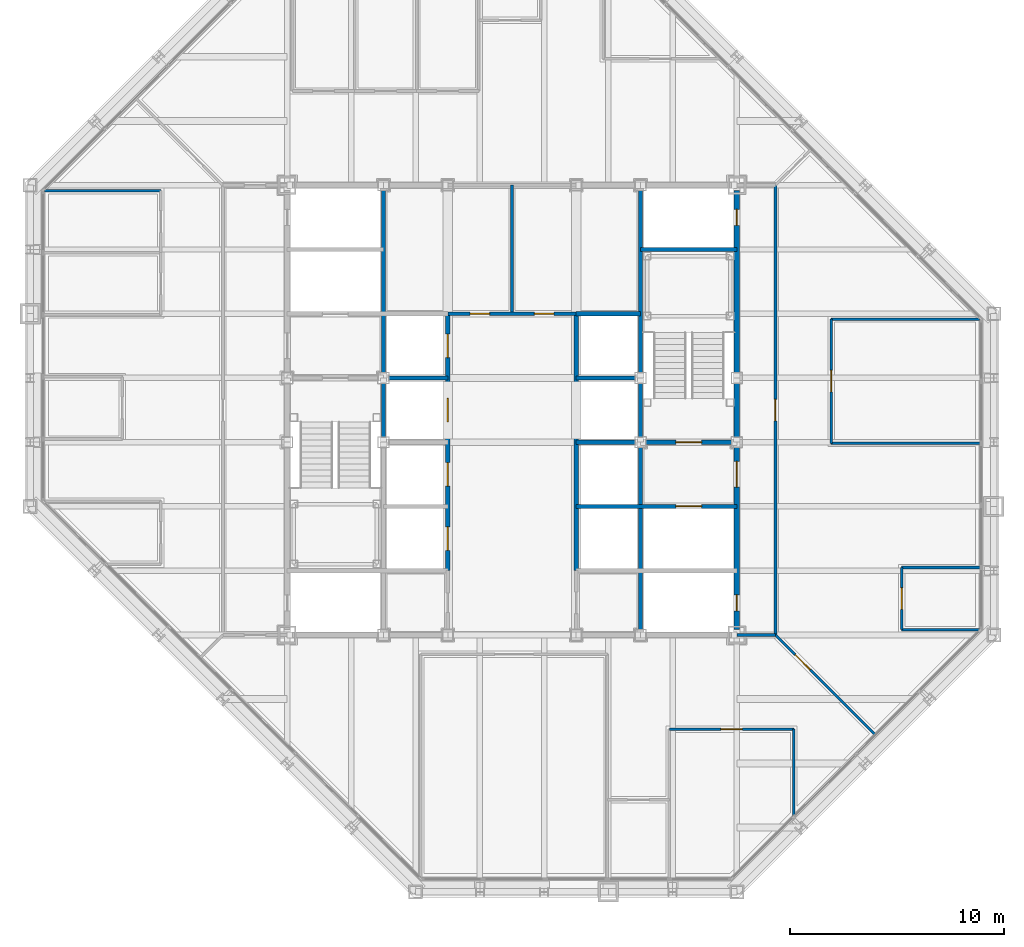
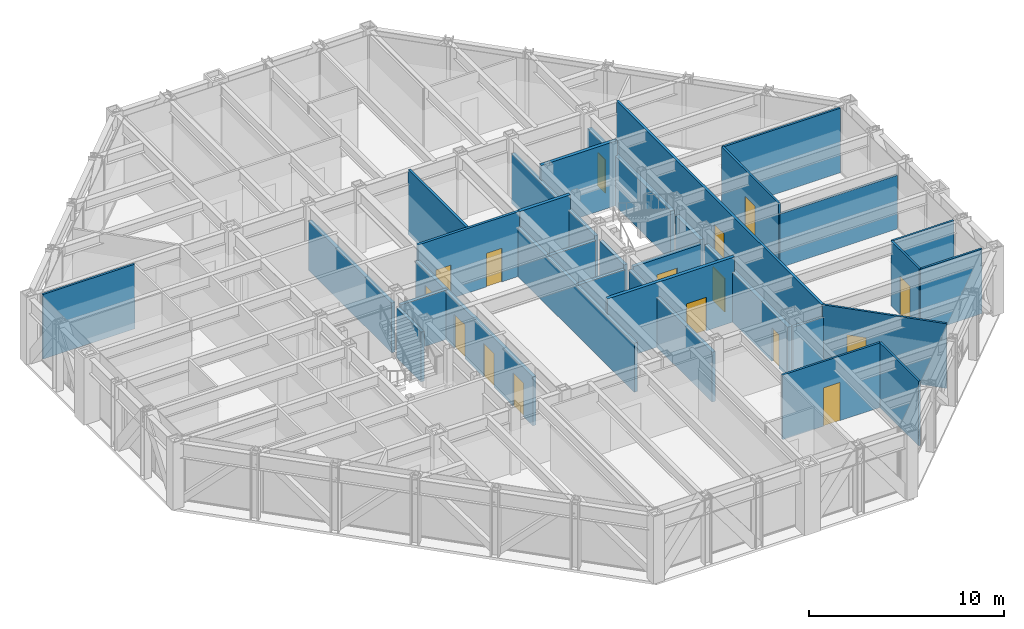
# One storey, part 12 of 16: 31 walls, 16 doors, 16 openings.
"""IFC4 building model written with IfcOpenShell, lengths in metres."""

from ifc_helpers import new_model, si_unit, direction, frame, frame_2d, origin, place, context, subcontext, project, spatial, rectangle, extrude, material, layer, layer_set, type_object, element, fill, save


model = new_model("IFC4")

# Units and contexts
model_context = context("Model", 3, precision=1e-05, world=origin(), true_north=direction((0.0, 1.0)))
body_context = subcontext(model_context, "Body", "Model", "MODEL_VIEW")
ifc_project = project(units=[si_unit("LENGTHUNIT", "METRE"), si_unit("AREAUNIT", "SQUARE_METRE"), si_unit("VOLUMEUNIT", "CUBIC_METRE"), si_unit("PLANEANGLEUNIT", "RADIAN"), si_unit("MASSUNIT", "GRAM", prefix="KILO")], contexts=[model_context])

# Site, building, storey
site_placement = place(None, origin())
site = spatial("IfcSite", under=ifc_project, at=site_placement, CompositionType="ELEMENT")
building_placement = place(site_placement, origin())
building = spatial("IfcBuilding", under=site, at=building_placement, Name="Chuquiago Exchange Tower", CompositionType="ELEMENT")
storey_placement = place(building_placement, frame((0.0, 0.0, 234.89990234375)))
storey = spatial("IfcBuildingStorey", under=building, at=storey_placement, Name="L52", CompositionType="ELEMENT", Elevation=234.89990234375)

# Wall, openings, doors
ifc_material_1 = material(Name="Concrete masonry, fully grouted", Category="masonry")
ifc_layer_1 = layer(ifc_material_1, 0.25)
ifc_layer_set_1 = layer_set([ifc_layer_1], Name="W1 core wall 250")
wall_type_1 = type_object("IfcWallType", Name="W1 core wall 250", PredefinedType="SOLIDWALL", material=ifc_layer_set_1)
wall_1_placement = place(storey_placement, frame((33.0, 12.25, 0.0), z_axis=(0.0, 0.0, 1.0), x_axis=(0.0, 1.0, 0.0)))
wall_1 = element("IfcWall", 1, at=wall_1_placement, inside=storey, type_object=wall_type_1, Name="CW-L52-25-0", PredefinedType="SOLIDWALL", context=body_context, shape_type="SweptSolid", body=[
    extrude(rectangle(XDim=8.5, YDim=0.25, at=frame_2d((4.25, 0.0))), origin(), (0.0, 0.0, 1.0), 3.113037109375),
])
opening_1_placement = place(wall_1_placement, frame((6.64990234375, 0.0, 0.0)))
opening_1 = element("IfcOpeningElement", 2, at=opening_1_placement, cuts=wall_1, Name="Opening L52-004", PredefinedType="OPENING", context=body_context, shape_type="SweptSolid", body=[
    extrude(rectangle(XDim=1.199951171875, YDim=2.10009765625, at=frame_2d((0.60009765625, 1.050048828125))), frame((0.0, 0.135009765625, 0.0), z_axis=(0.0, -1.0, 0.0), x_axis=(1.0, 0.0, 0.0)), (0.0, 0.0, 1.0), 0.27001953125),
])
opening_2_placement = place(wall_1_placement, frame((0.875, 0.0, 0.0)))
opening_2 = element("IfcOpeningElement", 3, at=opening_2_placement, cuts=wall_1, Name="Opening L52-009", PredefinedType="OPENING", context=body_context, shape_type="SweptSolid", body=[
    extrude(rectangle(XDim=0.75, YDim=2.10009765625, at=frame_2d((0.375, 1.050048828125))), frame((0.0, 0.135009765625, 0.0), z_axis=(0.0, -1.0, 0.0), x_axis=(1.0, 0.0, 0.0)), (0.0, 0.0, 1.0), 0.27001953125),
])
ifc_material_2 = material(Name="Steel door, painted", Category="steel")
door_type_1 = type_object("IfcDoorType", Name="D5 firefighting lobby door 1200x2100", OperationType="SINGLE_SWING_LEFT", PredefinedType="DOOR", material=ifc_material_2)
door_1_placement = place(opening_1_placement, origin())
door_1 = element("IfcDoor", 4, at=door_1_placement, inside=storey, type_object=door_type_1, Name="Firefighting lobby 2 door", OperationType="SINGLE_SWING_RIGHT", OverallHeight=2.10009765625, OverallWidth=1.199951171875, PredefinedType="DOOR", context=body_context, shape_type="SweptSolid", body=[
    extrude(rectangle(XDim=1.199951171875, YDim=2.10009765625, at=frame_2d((0.60009765625, 1.050048828125))), frame((0.0, 0.02490234375, 0.0), z_axis=(0.0, -1.0, 0.0), x_axis=(1.0, 0.0, 0.0)), (0.0, 0.0, 1.0), 0.050048828125),
])
fill(opening_1, door_1)
ifc_material_3 = material(Name="Steel door, painted", Category="steel")
door_type_2 = type_object("IfcDoorType", Name="D6 riser access door 750x2100", OperationType="SINGLE_SWING_LEFT", PredefinedType="DOOR", material=ifc_material_3)
door_2_placement = place(opening_2_placement, frame((0.75, 0.0, 0.0), z_axis=(0.0, 0.0, 1.0), x_axis=(-1.0, 0.0, 0.0)))
door_2 = element("IfcDoor", 5, at=door_2_placement, inside=storey, type_object=door_type_2, Name="Riser RE1 door", OperationType="SINGLE_SWING_RIGHT", OverallHeight=2.10009765625, OverallWidth=0.75, PredefinedType="DOOR", context=body_context, shape_type="SweptSolid", body=[
    extrude(rectangle(XDim=0.75, YDim=2.10009765625, at=frame_2d((0.375, 1.050048828125))), frame((0.0, 0.02490234375, 0.0), z_axis=(0.0, -1.0, 0.0), x_axis=(1.0, 0.0, 0.0)), (0.0, 0.0, 1.0), 0.050048828125),
])
fill(opening_2, door_2)

# Wall
wall_2_placement = place(storey_placement, frame((33.0, 21.25, 0.0), z_axis=(0.0, 0.0, 1.0), x_axis=(0.0, 1.0, 0.0)))
element("IfcWall", 6, at=wall_2_placement, inside=storey, type_object=wall_type_1, Name="CW-L52-25-1", PredefinedType="SOLIDWALL", context=body_context, shape_type="SweptSolid", body=[
    extrude(rectangle(XDim=2.5, YDim=0.25, at=frame_2d((1.25, 0.0))), origin(), (0.0, 0.0, 1.0), 3.113037109375),
])

# Wall, opening, door
wall_3_placement = place(storey_placement, frame((33.0, 24.25, 0.0), z_axis=(0.0, 0.0, 1.0), x_axis=(0.0, 1.0, 0.0)))
wall_3 = element("IfcWall", 7, at=wall_3_placement, inside=storey, type_object=wall_type_1, Name="CW-L52-25-2", PredefinedType="SOLIDWALL", context=body_context, shape_type="SweptSolid", body=[
    extrude(rectangle(XDim=8.5, YDim=0.25, at=frame_2d((4.25, 0.0))), origin(), (0.0, 0.0, 1.0), 3.113037109375),
])
opening_3_placement = place(wall_3_placement, frame((6.875, 0.0, 0.0)))
opening_3 = element("IfcOpeningElement", 8, at=opening_3_placement, cuts=wall_3, Name="Opening L52-010", PredefinedType="OPENING", context=body_context, shape_type="SweptSolid", body=[
    extrude(rectangle(XDim=0.75, YDim=2.10009765625, at=frame_2d((0.375, 1.050048828125))), frame((0.0, 0.135009765625, 0.0), z_axis=(0.0, -1.0, 0.0), x_axis=(1.0, 0.0, 0.0)), (0.0, 0.0, 1.0), 0.27001953125),
])
door_3_placement = place(opening_3_placement, frame((0.75, 0.0, 0.0), z_axis=(0.0, 0.0, 1.0), x_axis=(-1.0, 0.0, 0.0)))
door_3 = element("IfcDoor", 9, at=door_3_placement, inside=storey, type_object=door_type_2, Name="Riser RE2 door", OperationType="SINGLE_SWING_LEFT", OverallHeight=2.10009765625, OverallWidth=0.75, PredefinedType="DOOR", context=body_context, shape_type="SweptSolid", body=[
    extrude(rectangle(XDim=0.75, YDim=2.10009765625, at=frame_2d((0.375, 1.050048828125))), frame((0.0, 0.02490234375, 0.0), z_axis=(0.0, -1.0, 0.0), x_axis=(1.0, 0.0, 0.0)), (0.0, 0.0, 1.0), 0.050048828125),
])
fill(opening_3, door_3)

ifc_material_4 = material(Name="Gypsum board on steel studs, acoustic insulation", Category="steel")
ifc_layer_2 = layer(ifc_material_4, 0.14990234375)
ifc_layer_set_2 = layer_set([ifc_layer_2], Name="W11 corridor wall 150")
wall_type_2 = type_object("IfcWallType", Name="W11 corridor wall 150", PredefinedType="PARTITIONING", material=ifc_layer_set_2)
wall_4_placement = place(storey_placement, frame((34.800048828125, 12.0, 0.0), z_axis=(0.0, 0.0, 1.0), x_axis=(0.0, 1.0, 0.0)))
wall_4 = element("IfcWall", 10, at=wall_4_placement, inside=storey, type_object=wall_type_2, Name="PW-L52-GE0", PredefinedType="PARTITIONING", context=body_context, shape_type="SweptSolid", body=[
    extrude(rectangle(XDim=21.0, YDim=0.14990234375, at=frame_2d((10.5, 0.0))), origin(), (0.0, 0.0, 1.0), 4.0400390625),
])
opening_4_placement = place(wall_4_placement, frame((10.0, 0.0, 0.0)))
opening_4 = element("IfcOpeningElement", 11, at=opening_4_placement, cuts=wall_4, Name="Opening L52-036", PredefinedType="OPENING", context=body_context, shape_type="SweptSolid", body=[
    extrude(rectangle(XDim=1.0, YDim=2.39990234375, at=frame_2d((0.5, 1.199951171875))), frame((0.0, 0.0849609375, 0.0), z_axis=(0.0, -1.0, 0.0), x_axis=(1.0, 0.0, 0.0)), (0.0, 0.0, 1.0), 0.169921875),
])
ifc_material_5 = material(Name="Timber door, laminate faced", Category="wood")
door_type_3 = type_object("IfcDoorType", Name="D9 room door 1000x2400", OperationType="SINGLE_SWING_LEFT", PredefinedType="DOOR", material=ifc_material_5)
door_4_placement = place(opening_4_placement, frame((1.0, 0.0, 0.0), z_axis=(0.0, 0.0, 1.0), x_axis=(-1.0, 0.0, 0.0)))
door_4 = element("IfcDoor", 12, at=door_4_placement, inside=storey, type_object=door_type_3, Name="Team area door", OperationType="SINGLE_SWING_RIGHT", OverallHeight=2.39990234375, OverallWidth=1.0, PredefinedType="DOOR", context=body_context, shape_type="SweptSolid", body=[
    extrude(rectangle(XDim=1.0, YDim=2.39990234375, at=frame_2d((0.5, 1.199951171875))), frame((0.0, 0.02490234375, 0.0), z_axis=(0.0, -1.0, 0.0), x_axis=(1.0, 0.0, 0.0)), (0.0, 0.0, 1.0), 0.050048828125),
])
fill(opening_4, door_4)

# Walls
wall_5_placement = place(storey_placement, frame((33.0, 12.0, 0.0), z_axis=(0.0, 0.0, 1.0), x_axis=(1.0, 0.0, 0.0)))
element("IfcWall", 13, at=wall_5_placement, inside=storey, type_object=wall_type_2, Name="PW-L52-GES0", PredefinedType="PARTITIONING", context=body_context, shape_type="SweptSolid", body=[
    extrude(rectangle(XDim=1.800048828125, YDim=0.14990234375, at=frame_2d((0.89990234375, 0.0))), origin(), (0.0, 0.0, 1.0), 3.2705078125),
])
ifc_material_6 = material(Name="Concrete masonry, fully grouted", Category="masonry")
ifc_layer_3 = layer(ifc_material_6, 0.199951171875)
ifc_layer_set_3 = layer_set([ifc_layer_3], Name="W2 shaft wall 200")
wall_type_3 = type_object("IfcWallType", Name="W2 shaft wall 200", PredefinedType="SOLIDWALL", material=ifc_layer_set_3)
for number, where, z_axis, x_axis, name in (
    (14, (16.75, 24.0, 0.0), (0.0, 0.0, 1.0), (1.0, 0.0, 0.0), "CW-L52-05-1"),
    (15, (25.5, 24.0, 0.0), (0.0, 0.0, 1.0), (1.0, 0.0, 0.0), "CW-L52-06-0"),
):
    element("IfcWall", number, at=place(storey_placement, frame(where, z_axis=z_axis, x_axis=x_axis)), inside=storey, type_object=wall_type_3, Name=name, PredefinedType="SOLIDWALL", context=body_context, shape_type="SweptSolid", body=[
        extrude(rectangle(XDim=2.75, YDim=0.199951171875, at=frame_2d((1.375, 0.0))), origin(), (0.0, 0.0, 1.0), 3.090087890625),
    ])
wall_6_placement = place(storey_placement, frame((25.5, 27.0, 0.0), z_axis=(0.0, 0.0, 1.0), x_axis=(1.0, 0.0, 0.0)))
element("IfcWall", 16, at=wall_6_placement, inside=storey, type_object=wall_type_3, Name="CW-L52-08-0", PredefinedType="SOLIDWALL", context=body_context, shape_type="SweptSolid", body=[
    extrude(rectangle(XDim=3.0, YDim=0.199951171875, at=frame_2d((1.5, 0.0))), origin(), (0.0, 0.0, 1.0), 4.0400390625),
])
wall_7_placement = place(storey_placement, frame((28.5, 30.0, 0.0), z_axis=(0.0, 0.0, 1.0), x_axis=(1.0, 0.0, 0.0)))
element("IfcWall", 17, at=wall_7_placement, inside=storey, type_object=wall_type_3, Name="CW-L52-10-0", PredefinedType="SOLIDWALL", context=body_context, shape_type="SweptSolid", body=[
    extrude(rectangle(XDim=4.5, YDim=0.199951171875, at=frame_2d((2.25, 0.0))), origin(), (0.0, 0.0, 1.0), 4.0400390625),
])
wall_8_placement = place(storey_placement, frame((16.5, 21.25, 0.0), z_axis=(0.0, 0.0, 1.0), x_axis=(0.0, 1.0, 0.0)))
element("IfcWall", 18, at=wall_8_placement, inside=storey, type_object=wall_type_3, Name="CW-L52-13-1", PredefinedType="SOLIDWALL", context=body_context, shape_type="SweptSolid", body=[
    extrude(rectangle(XDim=2.5, YDim=0.199951171875, at=frame_2d((1.25, 0.0))), origin(), (0.0, 0.0, 1.0), 3.113037109375),
])
wall_9_placement = place(storey_placement, frame((16.5, 24.25, 0.0), z_axis=(0.0, 0.0, 1.0), x_axis=(0.0, 1.0, 0.0)))
element("IfcWall", 19, at=wall_9_placement, inside=storey, type_object=wall_type_3, Name="CW-L52-13-2", PredefinedType="SOLIDWALL", context=body_context, shape_type="SweptSolid", body=[
    extrude(rectangle(XDim=8.5, YDim=0.199951171875, at=frame_2d((4.25, 0.0))), origin(), (0.0, 0.0, 1.0), 3.113037109375),
])

# Wall, opening, door
wall_10_placement = place(storey_placement, frame((25.5, 18.0, 0.0), z_axis=(0.0, 0.0, 1.0), x_axis=(1.0, 0.0, 0.0)))
wall_10 = element("IfcWall", 20, at=wall_10_placement, inside=storey, type_object=wall_type_3, Name="CW-L52-15-0", PredefinedType="SOLIDWALL", context=body_context, shape_type="SweptSolid", body=[
    extrude(rectangle(XDim=7.5, YDim=0.199951171875, at=frame_2d((3.75, 0.0))), origin(), (0.0, 0.0, 1.0), 4.0400390625),
])
opening_5_placement = place(wall_10_placement, frame((4.64990234375, 0.0, 0.0)))
opening_5 = element("IfcOpeningElement", 21, at=opening_5_placement, cuts=wall_10, Name="Opening L52-006", PredefinedType="OPENING", context=body_context, shape_type="SweptSolid", body=[
    extrude(rectangle(XDim=1.199951171875, YDim=2.10009765625, at=frame_2d((0.60009765625, 1.050048828125))), frame((0.0, 0.10986328125, 0.0), z_axis=(0.0, -1.0, 0.0), x_axis=(1.0, 0.0, 0.0)), (0.0, 0.0, 1.0), 0.219970703125),
])
ifc_material_7 = material(Name="Stainless steel lift landing door", Category="steel")
door_type_4 = type_object("IfcDoorType", Name="LD2 firefighting lift landing door 1200x2100", OperationType="DOUBLE_DOOR_SLIDING", PredefinedType="DOOR", material=ifc_material_7)
door_5_placement = place(opening_5_placement, origin())
door_5 = element("IfcDoor", 22, at=door_5_placement, inside=storey, type_object=door_type_4, Name="Firefighting lift FL2 landing door", OperationType="DOUBLE_DOOR_SLIDING", OverallHeight=2.10009765625, OverallWidth=1.199951171875, PredefinedType="DOOR", context=body_context, shape_type="SweptSolid", body=[
    extrude(rectangle(XDim=1.199951171875, YDim=2.10009765625, at=frame_2d((0.60009765625, 1.050048828125))), frame((0.0, 0.02490234375, 0.0), z_axis=(0.0, -1.0, 0.0), x_axis=(1.0, 0.0, 0.0)), (0.0, 0.0, 1.0), 0.050048828125),
])
fill(opening_5, door_5)

# Wall
wall_11_placement = place(storey_placement, frame((25.5, 21.0, 0.0), z_axis=(0.0, 0.0, 1.0), x_axis=(1.0, 0.0, 0.0)))
element("IfcWall", 23, at=wall_11_placement, inside=storey, type_object=wall_type_3, Name="CW-L52-17-0", PredefinedType="SOLIDWALL", context=body_context, shape_type="SweptSolid", body=[
    extrude(rectangle(XDim=2.75, YDim=0.199951171875, at=frame_2d((1.375, 0.0))), origin(), (0.0, 0.0, 1.0), 3.090087890625),
])

# Wall, opening, door
wall_12_placement = place(storey_placement, frame((28.75, 21.0, 0.0), z_axis=(0.0, 0.0, 1.0), x_axis=(1.0, 0.0, 0.0)))
wall_12 = element("IfcWall", 24, at=wall_12_placement, inside=storey, type_object=wall_type_3, Name="CW-L52-17-1", PredefinedType="SOLIDWALL", context=body_context, shape_type="SweptSolid", body=[
    extrude(rectangle(XDim=4.0, YDim=0.199951171875, at=frame_2d((2.0, 0.0))), origin(), (0.0, 0.0, 1.0), 3.090087890625),
])
opening_6_placement = place(wall_12_placement, frame((1.39990234375, 0.0, 0.0)))
opening_6 = element("IfcOpeningElement", 25, at=opening_6_placement, cuts=wall_12, Name="Opening L52-003", PredefinedType="OPENING", context=body_context, shape_type="SweptSolid", body=[
    extrude(rectangle(XDim=1.199951171875, YDim=2.10009765625, at=frame_2d((0.60009765625, 1.050048828125))), frame((0.0, 0.10986328125, 0.0), z_axis=(0.0, -1.0, 0.0), x_axis=(1.0, 0.0, 0.0)), (0.0, 0.0, 1.0), 0.219970703125),
])
ifc_material_8 = material(Name="Steel door, painted", Category="steel")
door_type_5 = type_object("IfcDoorType", Name="D4 stair door 1200x2100", OperationType="SINGLE_SWING_LEFT", PredefinedType="DOOR", material=ifc_material_8)
door_6_placement = place(opening_6_placement, origin())
door_6 = element("IfcDoor", 26, at=door_6_placement, inside=storey, type_object=door_type_5, Name="Stair ST2 door", OperationType="SINGLE_SWING_LEFT", OverallHeight=2.10009765625, OverallWidth=1.199951171875, PredefinedType="DOOR", context=body_context, shape_type="SweptSolid", body=[
    extrude(rectangle(XDim=1.199951171875, YDim=2.10009765625, at=frame_2d((0.60009765625, 1.050048828125))), frame((0.0, 0.02490234375, 0.0), z_axis=(0.0, -1.0, 0.0), x_axis=(1.0, 0.0, 0.0)), (0.0, 0.0, 1.0), 0.050048828125),
])
fill(opening_6, door_6)

# Wall, openings, doors
wall_13_placement = place(storey_placement, frame((19.5, 15.0, 0.0), z_axis=(0.0, 0.0, 1.0), x_axis=(0.0, 1.0, 0.0)))
wall_13 = element("IfcWall", 27, at=wall_13_placement, inside=storey, type_object=wall_type_3, Name="CW-L52-19-0", PredefinedType="SOLIDWALL", context=body_context, shape_type="SweptSolid", body=[
    extrude(rectangle(XDim=12.0, YDim=0.199951171875, at=frame_2d((6.0, 0.0))), origin(), (0.0, 0.0, 1.0), 3.064697265625),
])
opening_7_placement = place(wall_13_placement, frame((0.949951171875, 0.0, 0.0)))
opening_7 = element("IfcOpeningElement", 28, at=opening_7_placement, cuts=wall_13, Name="Opening L52-015", PredefinedType="OPENING", context=body_context, shape_type="SweptSolid", body=[
    extrude(rectangle(XDim=1.10009765625, YDim=2.10009765625, at=frame_2d((0.550048828125, 1.050048828125))), frame((0.0, 0.10986328125, 0.0), z_axis=(0.0, -1.0, 0.0), x_axis=(1.0, 0.0, 0.0)), (0.0, 0.0, 1.0), 0.219970703125),
])
opening_8_placement = place(wall_13_placement, frame((3.949951171875, 0.0, 0.0)))
opening_8 = element("IfcOpeningElement", 29, at=opening_8_placement, cuts=wall_13, Name="Opening L52-016", PredefinedType="OPENING", context=body_context, shape_type="SweptSolid", body=[
    extrude(rectangle(XDim=1.10009765625, YDim=2.10009765625, at=frame_2d((0.550048828125, 1.050048828125))), frame((0.0, 0.10986328125, 0.0), z_axis=(0.0, -1.0, 0.0), x_axis=(1.0, 0.0, 0.0)), (0.0, 0.0, 1.0), 0.219970703125),
])
opening_9_placement = place(wall_13_placement, frame((6.949951171875, 0.0, 0.0)))
opening_9 = element("IfcOpeningElement", 30, at=opening_9_placement, cuts=wall_13, Name="Opening L52-017", PredefinedType="OPENING", context=body_context, shape_type="SweptSolid", body=[
    extrude(rectangle(XDim=1.10009765625, YDim=2.10009765625, at=frame_2d((0.550048828125, 1.050048828125))), frame((0.0, 0.10986328125, 0.0), z_axis=(0.0, -1.0, 0.0), x_axis=(1.0, 0.0, 0.0)), (0.0, 0.0, 1.0), 0.219970703125),
])
opening_10_placement = place(wall_13_placement, frame((9.949951171875, 0.0, 0.0)))
opening_10 = element("IfcOpeningElement", 31, at=opening_10_placement, cuts=wall_13, Name="Opening L52-018", PredefinedType="OPENING", context=body_context, shape_type="SweptSolid", body=[
    extrude(rectangle(XDim=1.10009765625, YDim=2.10009765625, at=frame_2d((0.550048828125, 1.050048828125))), frame((0.0, 0.10986328125, 0.0), z_axis=(0.0, -1.0, 0.0), x_axis=(1.0, 0.0, 0.0)), (0.0, 0.0, 1.0), 0.219970703125),
])
ifc_material_9 = material(Name="Stainless steel lift landing door", Category="steel")
door_type_6 = type_object("IfcDoorType", Name="LD1 lift landing door 1100x2100", OperationType="DOUBLE_DOOR_SLIDING", PredefinedType="DOOR", material=ifc_material_9)
door_7_placement = place(opening_7_placement, origin())
door_7 = element("IfcDoor", 32, at=door_7_placement, inside=storey, type_object=door_type_6, Name="Lift LC1 landing door", OperationType="DOUBLE_DOOR_SLIDING", OverallHeight=2.10009765625, OverallWidth=1.10009765625, PredefinedType="DOOR", context=body_context, shape_type="SweptSolid", body=[
    extrude(rectangle(XDim=1.10009765625, YDim=2.10009765625, at=frame_2d((0.550048828125, 1.050048828125))), frame((0.0, 0.02490234375, 0.0), z_axis=(0.0, -1.0, 0.0), x_axis=(1.0, 0.0, 0.0)), (0.0, 0.0, 1.0), 0.050048828125),
])
fill(opening_7, door_7)
door_8_placement = place(opening_8_placement, origin())
door_8 = element("IfcDoor", 33, at=door_8_placement, inside=storey, type_object=door_type_6, Name="Lift LC2 landing door", OperationType="DOUBLE_DOOR_SLIDING", OverallHeight=2.10009765625, OverallWidth=1.10009765625, PredefinedType="DOOR", context=body_context, shape_type="SweptSolid", body=[
    extrude(rectangle(XDim=1.10009765625, YDim=2.10009765625, at=frame_2d((0.550048828125, 1.050048828125))), frame((0.0, 0.02490234375, 0.0), z_axis=(0.0, -1.0, 0.0), x_axis=(1.0, 0.0, 0.0)), (0.0, 0.0, 1.0), 0.050048828125),
])
fill(opening_8, door_8)
door_9_placement = place(opening_9_placement, origin())
door_9 = element("IfcDoor", 34, at=door_9_placement, inside=storey, type_object=door_type_6, Name="Lift LC3 landing door", OperationType="DOUBLE_DOOR_SLIDING", OverallHeight=2.10009765625, OverallWidth=1.10009765625, PredefinedType="DOOR", context=body_context, shape_type="SweptSolid", body=[
    extrude(rectangle(XDim=1.10009765625, YDim=2.10009765625, at=frame_2d((0.550048828125, 1.050048828125))), frame((0.0, 0.02490234375, 0.0), z_axis=(0.0, -1.0, 0.0), x_axis=(1.0, 0.0, 0.0)), (0.0, 0.0, 1.0), 0.050048828125),
])
fill(opening_9, door_9)
door_10_placement = place(opening_10_placement, origin())
door_10 = element("IfcDoor", 35, at=door_10_placement, inside=storey, type_object=door_type_6, Name="Lift LC4 landing door", OperationType="DOUBLE_DOOR_SLIDING", OverallHeight=2.10009765625, OverallWidth=1.10009765625, PredefinedType="DOOR", context=body_context, shape_type="SweptSolid", body=[
    extrude(rectangle(XDim=1.10009765625, YDim=2.10009765625, at=frame_2d((0.550048828125, 1.050048828125))), frame((0.0, 0.02490234375, 0.0), z_axis=(0.0, -1.0, 0.0), x_axis=(1.0, 0.0, 0.0)), (0.0, 0.0, 1.0), 0.050048828125),
])
fill(opening_10, door_10)

# Walls
wall_14_placement = place(storey_placement, frame((25.5, 15.0, 0.0), z_axis=(0.0, 0.0, 1.0), x_axis=(0.0, 1.0, 0.0)))
element("IfcWall", 36, at=wall_14_placement, inside=storey, type_object=wall_type_3, Name="CW-L52-22-0", PredefinedType="SOLIDWALL", context=body_context, shape_type="SweptSolid", body=[
    extrude(rectangle(XDim=12.0, YDim=0.199951171875, at=frame_2d((6.0, 0.0))), origin(), (0.0, 0.0, 1.0), 3.064697265625),
])
wall_15_placement = place(storey_placement, frame((28.5, 12.25, 0.0), z_axis=(0.0, 0.0, 1.0), x_axis=(0.0, 1.0, 0.0)))
element("IfcWall", 37, at=wall_15_placement, inside=storey, type_object=wall_type_3, Name="CW-L52-24-0", PredefinedType="SOLIDWALL", context=body_context, shape_type="SweptSolid", body=[
    extrude(rectangle(XDim=8.5, YDim=0.199951171875, at=frame_2d((4.25, 0.0))), origin(), (0.0, 0.0, 1.0), 3.113037109375),
])
wall_16_placement = place(storey_placement, frame((28.5, 21.25, 0.0), z_axis=(0.0, 0.0, 1.0), x_axis=(0.0, 1.0, 0.0)))
element("IfcWall", 38, at=wall_16_placement, inside=storey, type_object=wall_type_3, Name="CW-L52-24-1", PredefinedType="SOLIDWALL", context=body_context, shape_type="SweptSolid", body=[
    extrude(rectangle(XDim=2.5, YDim=0.199951171875, at=frame_2d((1.25, 0.0))), origin(), (0.0, 0.0, 1.0), 3.113037109375),
])
wall_17_placement = place(storey_placement, frame((28.5, 24.25, 0.0), z_axis=(0.0, 0.0, 1.0), x_axis=(0.0, 1.0, 0.0)))
element("IfcWall", 39, at=wall_17_placement, inside=storey, type_object=wall_type_3, Name="CW-L52-24-2", PredefinedType="SOLIDWALL", context=body_context, shape_type="SweptSolid", body=[
    extrude(rectangle(XDim=8.5, YDim=0.199951171875, at=frame_2d((4.25, 0.0))), origin(), (0.0, 0.0, 1.0), 3.113037109375),
])

# Wall, openings, doors
ifc_material_10 = material(Name="Gypsum board on steel studs", Category="steel")
ifc_layer_4 = layer(ifc_material_10, 0.14990234375)
ifc_layer_set_4 = layer_set([ifc_layer_4], Name="W3 core partition 150")
wall_type_4 = type_object("IfcWallType", Name="W3 core partition 150", PredefinedType="PARTITIONING", material=ifc_layer_set_4)
wall_18_placement = place(storey_placement, frame((19.5, 27.0, 0.0), z_axis=(0.0, 0.0, 1.0), x_axis=(1.0, 0.0, 0.0)))
wall_18 = element("IfcWall", 40, at=wall_18_placement, inside=storey, type_object=wall_type_4, Name="CW-L52-TF", PredefinedType="PARTITIONING", context=body_context, shape_type="SweptSolid", body=[
    extrude(rectangle(XDim=6.0, YDim=0.14990234375, at=frame_2d((3.0, 0.0))), origin(), (0.0, 0.0, 1.0), 4.0400390625),
])
opening_11_placement = place(wall_18_placement, frame((1.050048828125, 0.0, 0.0)))
opening_11 = element("IfcOpeningElement", 41, at=opening_11_placement, cuts=wall_18, Name="Opening L52-011", PredefinedType="OPENING", context=body_context, shape_type="SweptSolid", body=[
    extrude(rectangle(XDim=0.89990234375, YDim=2.10009765625, at=frame_2d((0.449951171875, 1.050048828125))), frame((0.0, 0.0849609375, 0.0), z_axis=(0.0, -1.0, 0.0), x_axis=(1.0, 0.0, 0.0)), (0.0, 0.0, 1.0), 0.169921875),
])
opening_12_placement = place(wall_18_placement, frame((4.050048828125, 0.0, 0.0)))
opening_12 = element("IfcOpeningElement", 42, at=opening_12_placement, cuts=wall_18, Name="Opening L52-012", PredefinedType="OPENING", context=body_context, shape_type="SweptSolid", body=[
    extrude(rectangle(XDim=0.89990234375, YDim=2.10009765625, at=frame_2d((0.449951171875, 1.050048828125))), frame((0.0, 0.0849609375, 0.0), z_axis=(0.0, -1.0, 0.0), x_axis=(1.0, 0.0, 0.0)), (0.0, 0.0, 1.0), 0.169921875),
])
ifc_material_11 = material(Name="Timber door, laminate faced", Category="wood")
door_type_7 = type_object("IfcDoorType", Name="D7 toilet door 900x2100", OperationType="SINGLE_SWING_LEFT", PredefinedType="DOOR", material=ifc_material_11)
door_11_placement = place(opening_11_placement, origin())
door_11 = element("IfcDoor", 43, at=door_11_placement, inside=storey, type_object=door_type_7, Name="Male WC door", OperationType="SINGLE_SWING_RIGHT", OverallHeight=2.10009765625, OverallWidth=0.89990234375, PredefinedType="DOOR", context=body_context, shape_type="SweptSolid", body=[
    extrude(rectangle(XDim=0.89990234375, YDim=2.10009765625, at=frame_2d((0.449951171875, 1.050048828125))), frame((0.0, 0.02490234375, 0.0), z_axis=(0.0, -1.0, 0.0), x_axis=(1.0, 0.0, 0.0)), (0.0, 0.0, 1.0), 0.050048828125),
])
fill(opening_11, door_11)
door_12_placement = place(opening_12_placement, origin())
door_12 = element("IfcDoor", 44, at=door_12_placement, inside=storey, type_object=door_type_7, Name="Female WC door", OperationType="SINGLE_SWING_LEFT", OverallHeight=2.10009765625, OverallWidth=0.89990234375, PredefinedType="DOOR", context=body_context, shape_type="SweptSolid", body=[
    extrude(rectangle(XDim=0.89990234375, YDim=2.10009765625, at=frame_2d((0.449951171875, 1.050048828125))), frame((0.0, 0.02490234375, 0.0), z_axis=(0.0, -1.0, 0.0), x_axis=(1.0, 0.0, 0.0)), (0.0, 0.0, 1.0), 0.050048828125),
])
fill(opening_12, door_12)

# Walls
wall_19_placement = place(storey_placement, frame((22.5, 27.0, 0.0), z_axis=(0.0, 0.0, 1.0), x_axis=(0.0, 1.0, 0.0)))
element("IfcWall", 45, at=wall_19_placement, inside=storey, type_object=wall_type_4, Name="CW-L52-TM", PredefinedType="PARTITIONING", context=body_context, shape_type="SweptSolid", body=[
    extrude(rectangle(XDim=6.0, YDim=0.14990234375, at=frame_2d((3.0, 0.0))), origin(), (0.0, 0.0, 1.0), 4.0400390625),
])
ifc_material_12 = material(Name="Gypsum board on steel studs", Category="steel")
ifc_layer_5 = layer(ifc_material_12, 0.1201171875)
ifc_layer_set_5 = layer_set([ifc_layer_5], Name="W4 partition 120")
wall_type_5 = type_object("IfcWallType", Name="W4 partition 120", PredefinedType="PARTITIONING", material=ifc_layer_set_5)
wall_20_placement = place(storey_placement, frame((35.66357421875, 3.578125, 0.0), z_axis=(0.0, 0.0, 1.0), x_axis=(0.0, 1.0, 0.0)))
element("IfcWall", 46, at=wall_20_placement, inside=storey, type_object=wall_type_5, Name="PW-L52-S03566", PredefinedType="PARTITIONING", context=body_context, shape_type="SweptSolid", body=[
    extrude(rectangle(XDim=4.02197265625, YDim=0.1201171875, at=frame_2d((2.010986328125, 0.0))), origin(), (0.0, 0.0, 1.0), 4.0400390625),
])

# Wall, opening, door
wall_21_placement = place(storey_placement, frame((29.850830078125, 7.60009765625, 0.0), z_axis=(0.0, 0.0, 1.0), x_axis=(1.0, 0.0, 0.0)))
wall_21 = element("IfcWall", 47, at=wall_21_placement, inside=storey, type_object=wall_type_5, Name="PW-L52-SF02985", PredefinedType="PARTITIONING", context=body_context, shape_type="SweptSolid", body=[
    extrude(rectangle(XDim=5.812744140625, YDim=0.1201171875, at=frame_2d((2.90625, 0.0))), origin(), (0.0, 0.0, 1.0), 4.0400390625),
])
opening_13_placement = place(wall_21_placement, frame((2.406494140625, 0.0, 0.0)))
opening_13 = element("IfcOpeningElement", 48, at=opening_13_placement, cuts=wall_21, Name="Opening L52-021", PredefinedType="OPENING", context=body_context, shape_type="SweptSolid", body=[
    extrude(rectangle(XDim=1.0, YDim=2.39990234375, at=frame_2d((0.5, 1.199951171875))), frame((0.0, 0.070068359375, 0.0), z_axis=(0.0, -1.0, 0.0), x_axis=(1.0, 0.0, 0.0)), (0.0, 0.0, 1.0), 0.14013671875),
])
door_13_placement = place(opening_13_placement, frame((1.0, 0.0, 0.0), z_axis=(0.0, 0.0, 1.0), x_axis=(-1.0, 0.0, 0.0)))
door_13 = element("IfcDoor", 49, at=door_13_placement, inside=storey, type_object=door_type_3, Name="Risk management office door", OperationType="SINGLE_SWING_LEFT", OverallHeight=2.39990234375, OverallWidth=1.0, PredefinedType="DOOR", context=body_context, shape_type="SweptSolid", body=[
    extrude(rectangle(XDim=1.0, YDim=2.39990234375, at=frame_2d((0.5, 1.199951171875))), frame((0.0, 0.02490234375, 0.0), z_axis=(0.0, -1.0, 0.0), x_axis=(1.0, 0.0, 0.0)), (0.0, 0.0, 1.0), 0.050048828125),
])
fill(opening_13, door_13)

# Walls
wall_22_placement = place(storey_placement, frame((44.333984375, 12.24853515625, 0.0), z_axis=(0.0, 0.0, 1.0), x_axis=(-1.0, 0.0, 0.0)))
element("IfcWall", 50, at=wall_22_placement, inside=storey, type_object=wall_type_5, Name="PW-L52-E01225", PredefinedType="PARTITIONING", context=body_context, shape_type="SweptSolid", body=[
    extrude(rectangle(XDim=3.634033203125, YDim=0.1201171875, at=frame_2d((1.81689453125, 0.0))), origin(), (0.0, 0.0, 1.0), 4.0400390625),
])
wall_23_placement = place(storey_placement, frame((44.347412109375, 15.149169921875, 0.0), z_axis=(0.0, 0.0, 1.0), x_axis=(-1.0, 0.0, 0.0)))
element("IfcWall", 51, at=wall_23_placement, inside=storey, type_object=wall_type_5, Name="PW-L52-E01515", PredefinedType="PARTITIONING", context=body_context, shape_type="SweptSolid", body=[
    extrude(rectangle(XDim=3.6474609375, YDim=0.1201171875, at=frame_2d((1.82373046875, 0.0))), origin(), (0.0, 0.0, 1.0), 4.0400390625),
])
wall_24_placement = place(storey_placement, frame((44.347412109375, 20.9501953125, 0.0), z_axis=(0.0, 0.0, 1.0), x_axis=(-1.0, 0.0, 0.0)))
element("IfcWall", 52, at=wall_24_placement, inside=storey, type_object=wall_type_5, Name="PW-L52-E02095", PredefinedType="PARTITIONING", context=body_context, shape_type="SweptSolid", body=[
    extrude(rectangle(XDim=6.947509765625, YDim=0.1201171875, at=frame_2d((3.4736328125, 0.0))), origin(), (0.0, 0.0, 1.0), 3.35693359375),
])
wall_25_placement = place(storey_placement, frame((44.333984375, 26.75146484375, 0.0), z_axis=(0.0, 0.0, 1.0), x_axis=(-1.0, 0.0, 0.0)))
element("IfcWall", 53, at=wall_25_placement, inside=storey, type_object=wall_type_5, Name="PW-L52-E02675", PredefinedType="PARTITIONING", context=body_context, shape_type="SweptSolid", body=[
    extrude(rectangle(XDim=6.93408203125, YDim=0.1201171875, at=frame_2d((3.467041015625, 0.0))), origin(), (0.0, 0.0, 1.0), 4.0400390625),
])

# Wall, opening, door
wall_26_placement = place(storey_placement, frame((40.699951171875, 12.24853515625, 0.0), z_axis=(0.0, 0.0, 1.0), x_axis=(0.0, 1.0, 0.0)))
wall_26 = element("IfcWall", 54, at=wall_26_placement, inside=storey, type_object=wall_type_5, Name="PW-L52-EF01225", PredefinedType="PARTITIONING", context=body_context, shape_type="SweptSolid", body=[
    extrude(rectangle(XDim=2.900634765625, YDim=0.1201171875, at=frame_2d((1.4501953125, 0.0))), origin(), (0.0, 0.0, 1.0), 4.0400390625),
])
opening_14_placement = place(wall_26_placement, frame((0.9501953125, 0.0, 0.0)))
opening_14 = element("IfcOpeningElement", 55, at=opening_14_placement, cuts=wall_26, Name="Opening L52-022", PredefinedType="OPENING", context=body_context, shape_type="SweptSolid", body=[
    extrude(rectangle(XDim=1.0, YDim=2.39990234375, at=frame_2d((0.5, 1.199951171875))), frame((0.0, 0.070068359375, 0.0), z_axis=(0.0, -1.0, 0.0), x_axis=(1.0, 0.0, 0.0)), (0.0, 0.0, 1.0), 0.14013671875),
])
ifc_material_13 = material(Name="Timber frame door, full height glazed panel", Category="wood")
door_type_8 = type_object("IfcDoorType", Name="D14 glazed meeting room door 1000x2400", OperationType="SINGLE_SWING_LEFT", PredefinedType="DOOR", material=ifc_material_13)
door_14_placement = place(opening_14_placement, frame((1.0, 0.0, 0.0), z_axis=(0.0, 0.0, 1.0), x_axis=(-1.0, 0.0, 0.0)))
door_14 = element("IfcDoor", 56, at=door_14_placement, inside=storey, type_object=door_type_8, Name="Focus room door", OperationType="SINGLE_SWING_RIGHT", OverallHeight=2.39990234375, OverallWidth=1.0, PredefinedType="DOOR", context=body_context, shape_type="SweptSolid", body=[
    extrude(rectangle(XDim=1.0, YDim=2.39990234375, at=frame_2d((0.5, 1.199951171875))), frame((0.0, 0.02490234375, 0.0), z_axis=(0.0, -1.0, 0.0), x_axis=(1.0, 0.0, 0.0)), (0.0, 0.0, 1.0), 0.050048828125),
])
fill(opening_14, door_14)

wall_27_placement = place(storey_placement, frame((37.39990234375, 20.9501953125, 0.0), z_axis=(0.0, 0.0, 1.0), x_axis=(0.0, 1.0, 0.0)))
wall_27 = element("IfcWall", 57, at=wall_27_placement, inside=storey, type_object=wall_type_5, Name="PW-L52-EF02095", PredefinedType="PARTITIONING", context=body_context, shape_type="SweptSolid", body=[
    extrude(rectangle(XDim=5.80126953125, YDim=0.1201171875, at=frame_2d((2.900634765625, 0.0))), origin(), (0.0, 0.0, 1.0), 4.0400390625),
])
opening_15_placement = place(wall_27_placement, frame((2.400634765625, 0.0, 0.0)))
opening_15 = element("IfcOpeningElement", 58, at=opening_15_placement, cuts=wall_27, Name="Opening L52-023", PredefinedType="OPENING", context=body_context, shape_type="SweptSolid", body=[
    extrude(rectangle(XDim=1.0, YDim=2.39990234375, at=frame_2d((0.5, 1.199951171875))), frame((0.0, 0.070068359375, 0.0), z_axis=(0.0, -1.0, 0.0), x_axis=(1.0, 0.0, 0.0)), (0.0, 0.0, 1.0), 0.14013671875),
])
door_15_placement = place(opening_15_placement, frame((1.0, 0.0, 0.0), z_axis=(0.0, 0.0, 1.0), x_axis=(-1.0, 0.0, 0.0)))
door_15 = element("IfcDoor", 59, at=door_15_placement, inside=storey, type_object=door_type_3, Name="Research office door", OperationType="SINGLE_SWING_RIGHT", OverallHeight=2.39990234375, OverallWidth=1.0, PredefinedType="DOOR", context=body_context, shape_type="SweptSolid", body=[
    extrude(rectangle(XDim=1.0, YDim=2.39990234375, at=frame_2d((0.5, 1.199951171875))), frame((0.0, 0.02490234375, 0.0), z_axis=(0.0, -1.0, 0.0), x_axis=(1.0, 0.0, 0.0)), (0.0, 0.0, 1.0), 0.050048828125),
])
fill(opening_15, door_15)

# Wall
wall_28_placement = place(storey_placement, frame((0.666015625, 32.75146484375, 0.0), z_axis=(0.0, 0.0, 1.0), x_axis=(1.0, 0.0, 0.0)))
element("IfcWall", 60, at=wall_28_placement, inside=storey, type_object=wall_type_5, Name="PW-L52-W03275", PredefinedType="PARTITIONING", context=body_context, shape_type="SweptSolid", body=[
    extrude(rectangle(XDim=5.43408203125, YDim=0.1201171875, at=frame_2d((2.717041015625, 0.0))), origin(), (0.0, 0.0, 1.0), 4.0400390625),
])

# Wall, opening, door
wall_29_placement = place(storey_placement, frame((34.800048828125, 12.0, 0.0), z_axis=(0.0, 0.0, 1.0), x_axis=(0.707106781187, -0.707106781187, 0.0)))
wall_29 = element("IfcWall", 61, at=wall_29_placement, inside=storey, type_object=wall_type_5, Name="PW-L52-QSE", PredefinedType="PARTITIONING", context=body_context, shape_type="SweptSolid", body=[
    extrude(rectangle(XDim=6.580322265625, YDim=0.1201171875, at=frame_2d((3.2900390625, 0.0))), origin(), (0.0, 0.0, 1.0), 4.0400390625),
])
opening_16_placement = place(wall_29_placement, frame((1.300048828125, 0.0, 0.0)))
opening_16 = element("IfcOpeningElement", 62, at=opening_16_placement, cuts=wall_29, Name="Opening L52-039", PredefinedType="OPENING", context=body_context, shape_type="SweptSolid", body=[
    extrude(rectangle(XDim=1.0, YDim=2.39990234375, at=frame_2d((0.5, 1.199951171875))), frame((0.0, 0.070068359375, 0.0), z_axis=(0.0, -1.0, 0.0), x_axis=(1.0, 0.0, 0.0)), (0.0, 0.0, 1.0), 0.14013671875),
])
door_16_placement = place(opening_16_placement, origin())
door_16 = element("IfcDoor", 63, at=door_16_placement, inside=storey, type_object=door_type_3, Name="Team area door", OperationType="SINGLE_SWING_LEFT", OverallHeight=2.39990234375, OverallWidth=1.0, PredefinedType="DOOR", context=body_context, shape_type="SweptSolid", body=[
    extrude(rectangle(XDim=1.0, YDim=2.39990234375, at=frame_2d((0.5, 1.199951171875))), frame((0.0, 0.02490234375, 0.0), z_axis=(0.0, -1.0, 0.0), x_axis=(1.0, 0.0, 0.0)), (0.0, 0.0, 1.0), 0.050048828125),
])
fill(opening_16, door_16)

save(model, "model.ifc")
